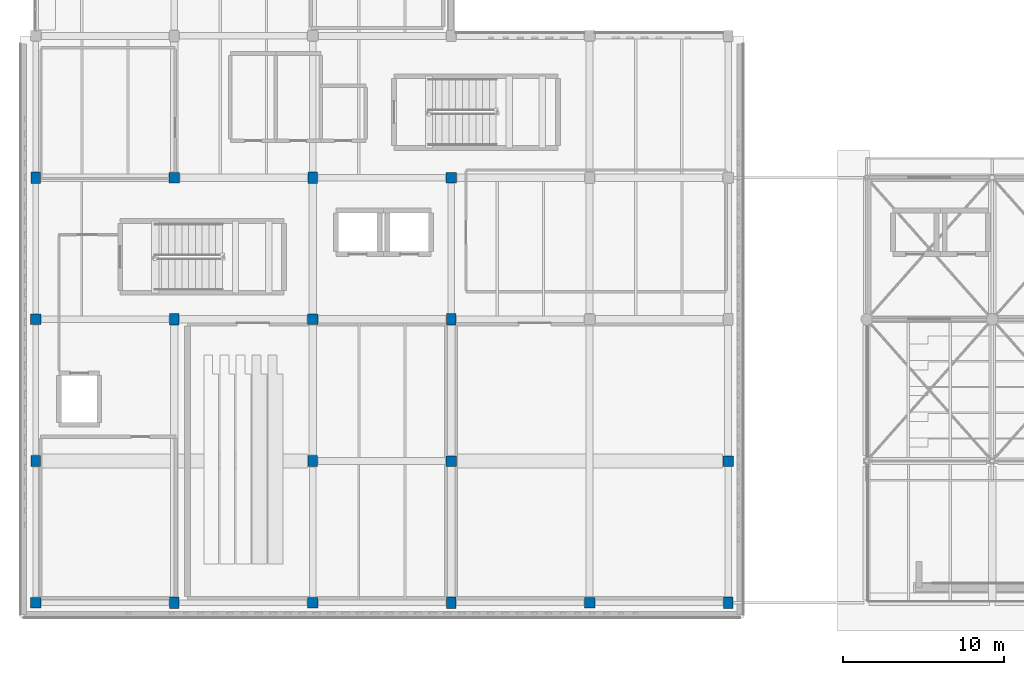
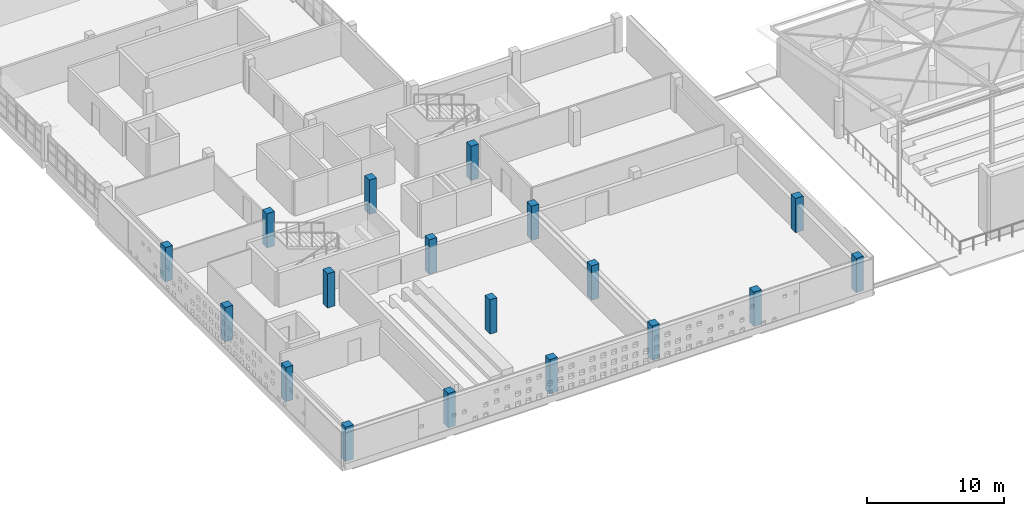
# One storey, part 1 of 34: 18 columns.
"""IFC4 building model written with IfcOpenShell, lengths in metres."""

from ifc_helpers import new_model, si_unit, direction, frame, origin, origin_2d, place, context, subcontext, project, spatial, rectangle, extrude, material, material_profile, profile_set, type_object, element, save


model = new_model("IFC4")

# Units and contexts
model_context = context("Model", 3, precision=1e-05, world=origin(), true_north=direction((0.0, 1.0)))
body_context = subcontext(model_context, "Body", "Model", "MODEL_VIEW")
ifc_project = project(units=[si_unit("LENGTHUNIT", "METRE"), si_unit("AREAUNIT", "SQUARE_METRE"), si_unit("VOLUMEUNIT", "CUBIC_METRE"), si_unit("PLANEANGLEUNIT", "RADIAN"), si_unit("MASSUNIT", "GRAM", prefix="KILO")], contexts=[model_context])

# Site, building, storey
site_placement = place(None, origin())
site = spatial("IfcSite", under=ifc_project, at=site_placement, CompositionType="ELEMENT")
building_placement = place(site_placement, origin())
building = spatial("IfcBuilding", under=site, at=building_placement, Name="Varnakota Cinema and Media Centre", CompositionType="ELEMENT")
storey_placement = place(building_placement, frame((0.0, 0.0, 19.050048828125)))
storey = spatial("IfcBuildingStorey", under=building, at=storey_placement, Name="L05", CompositionType="ELEMENT", Elevation=19.050048828125)

# Columns
ifc_material_1 = material(Name="Concrete M40", Category="concrete")
ifc_material_profile_1 = material_profile(ifc_material_1, rectangle(XDim=0.60009765625, YDim=0.699951171875, at=origin_2d()), Name="RC 600x700")
ifc_profile_set_1 = profile_set([ifc_material_profile_1], Name="Concrete M40")
column_type_1 = type_object("IfcColumnType", Name="COL-RC-600x700", PredefinedType="COLUMN", material=ifc_profile_set_1)
for number, where, z_axis, x_axis, name in (
    (1, (0.0, 8.800048828125, 0.0), (0.0, 0.0, 1.0), (1.0, 0.0, 0.0), "L05 column A/2"),
    (2, (0.0, 26.39990234375, 0.0), (0.0, 0.0, 1.0), (1.0, 0.0, 0.0), "L05 column A/4"),
    (3, (8.60009765625, 0.0, 0.0), (0.0, 0.0, 1.0), (1.0, 0.0, 0.0), "L05 column B/1"),
    (4, (8.60009765625, 17.60009765625, 0.0), (0.0, 0.0, 1.0), (1.0, 0.0, 0.0), "L05 column B/3"),
    (5, (17.199951171875, 8.800048828125, 0.0), (0.0, 0.0, 1.0), (1.0, 0.0, 0.0), "L05 column C/2"),
    (6, (17.199951171875, 26.39990234375, 0.0), (0.0, 0.0, 1.0), (1.0, 0.0, 0.0), "L05 column C/4"),
    (7, (25.800048828125, 0.0, 0.0), (0.0, 0.0, 1.0), (1.0, 0.0, 0.0), "L05 column D/1"),
    (8, (25.800048828125, 17.60009765625, 0.0), (0.0, 0.0, 1.0), (1.0, 0.0, 0.0), "L05 column D/3"),
    (9, (43.0, 0.0, 0.0), (0.0, 0.0, 1.0), (1.0, 0.0, 0.0), "L05 column F/1"),
):
    element("IfcColumn", number, at=place(storey_placement, frame(where, z_axis=z_axis, x_axis=x_axis)), inside=storey, type_object=column_type_1, Name=name, PredefinedType="COLUMN", context=body_context, shape_type="SweptSolid", body=[
        extrude(rectangle(XDim=0.60009765625, YDim=0.699951171875, at=origin_2d()), origin(), (0.0, 0.0, 1.0), 3.06005859375),
    ])
ifc_material_2 = material(Name="Concrete M40", Category="concrete")
ifc_material_profile_2 = material_profile(ifc_material_2, rectangle(XDim=0.64990234375, YDim=0.64990234375, at=origin_2d()), Name="RC 650x650")
ifc_profile_set_2 = profile_set([ifc_material_profile_2], Name="Concrete M40")
column_type_2 = type_object("IfcColumnType", Name="COL-RC-650x650", PredefinedType="COLUMN", material=ifc_profile_set_2)
for number, where, z_axis, x_axis, name in (
    (10, (0.0, 0.0, 0.0), (0.0, 0.0, 1.0), (1.0, 0.0, 0.0), "L05 column A/1"),
    (11, (0.0, 17.60009765625, 0.0), (0.0, 0.0, 1.0), (1.0, 0.0, 0.0), "L05 column A/3"),
    (12, (8.60009765625, 26.39990234375, 0.0), (0.0, 0.0, 1.0), (1.0, 0.0, 0.0), "L05 column B/4"),
    (13, (17.199951171875, 0.0, 0.0), (0.0, 0.0, 1.0), (1.0, 0.0, 0.0), "L05 column C/1"),
    (14, (17.199951171875, 17.60009765625, 0.0), (0.0, 0.0, 1.0), (1.0, 0.0, 0.0), "L05 column C/3"),
    (15, (25.800048828125, 8.800048828125, 0.0), (0.0, 0.0, 1.0), (1.0, 0.0, 0.0), "L05 column D/2"),
    (16, (25.800048828125, 26.39990234375, 0.0), (0.0, 0.0, 1.0), (1.0, 0.0, 0.0), "L05 column D/4"),
    (17, (34.39990234375, 0.0, 0.0), (0.0, 0.0, 1.0), (1.0, 0.0, 0.0), "L05 column E/1"),
    (18, (43.0, 8.800048828125, 0.0), (0.0, 0.0, 1.0), (1.0, 0.0, 0.0), "L05 column F/2"),
):
    element("IfcColumn", number, at=place(storey_placement, frame(where, z_axis=z_axis, x_axis=x_axis)), inside=storey, type_object=column_type_2, Name=name, PredefinedType="COLUMN", context=body_context, shape_type="SweptSolid", body=[
        extrude(rectangle(XDim=0.64990234375, YDim=0.64990234375, at=origin_2d()), origin(), (0.0, 0.0, 1.0), 3.06005859375),
    ])

save(model, "model.ifc")
